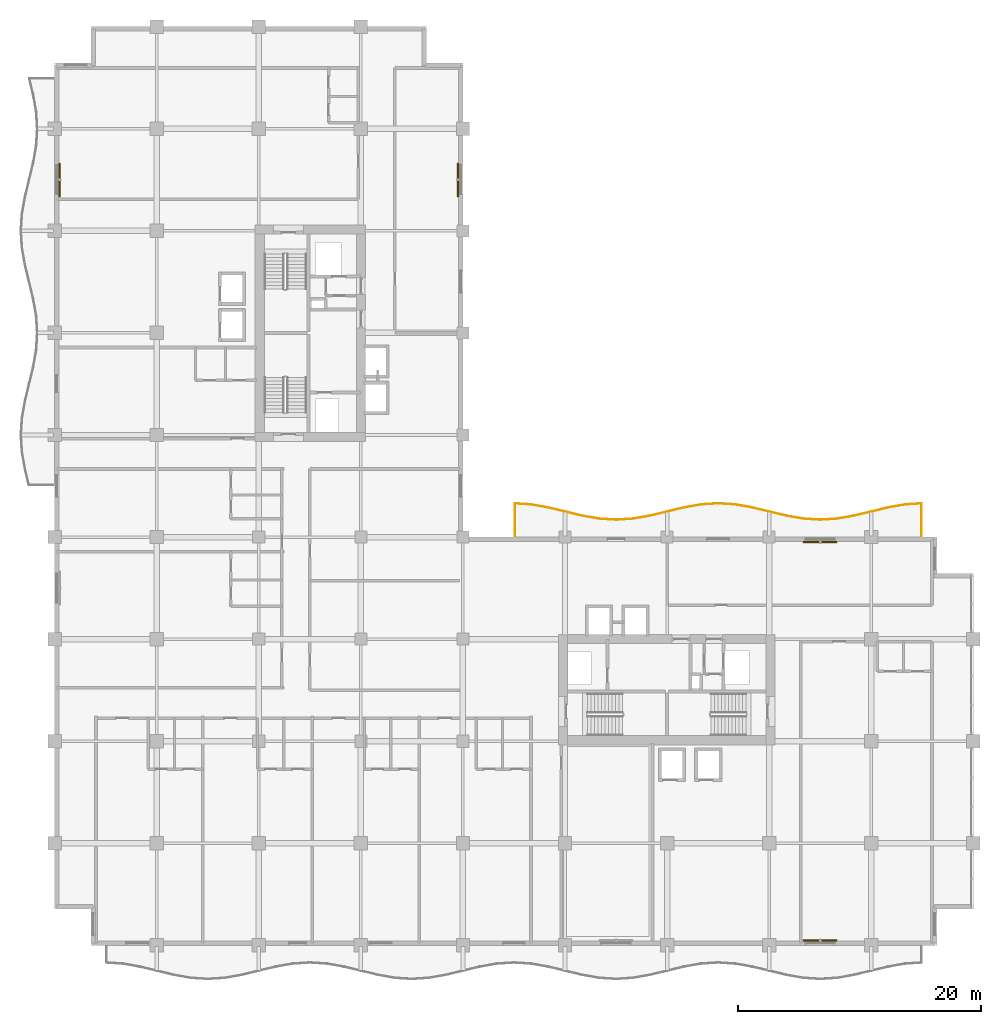
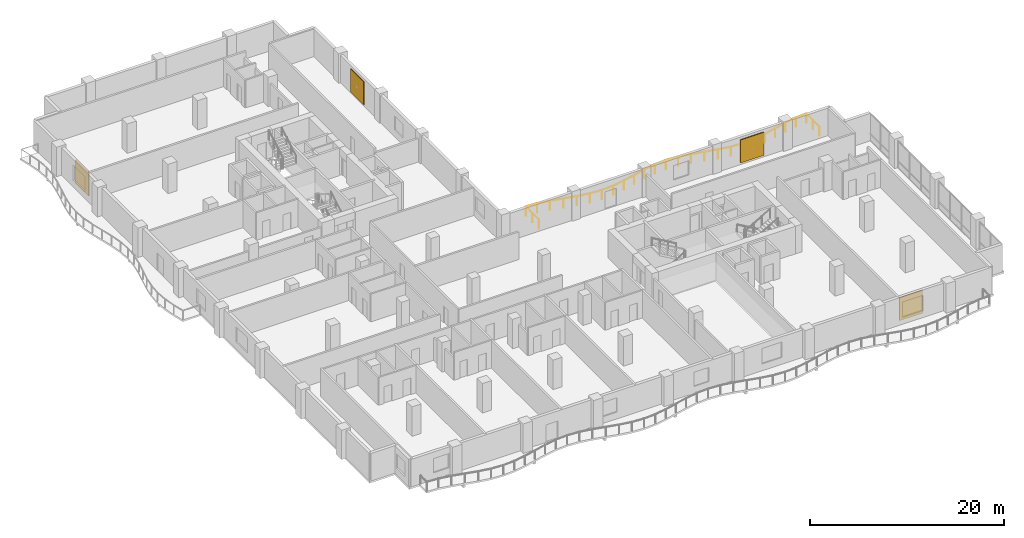
# One storey, part 22 of 22: 4 shading devices, 1 railing.
"""IFC4 building model written with IfcOpenShell, lengths in metres."""

from ifc_helpers import new_model, si_unit, direction, frame, origin, origin_2d, place, context, subcontext, project, spatial, rectangle, circle, extrude, material, layer, layer_set, type_object, element, save


model = new_model("IFC4")

# Units and contexts
model_context = context("Model", 3, precision=1e-05, world=origin(), true_north=direction((0.0, 1.0)))
body_context = subcontext(model_context, "Body", "Model", "MODEL_VIEW")
ifc_project = project(units=[si_unit("LENGTHUNIT", "METRE"), si_unit("AREAUNIT", "SQUARE_METRE"), si_unit("VOLUMEUNIT", "CUBIC_METRE"), si_unit("PLANEANGLEUNIT", "RADIAN"), si_unit("MASSUNIT", "GRAM", prefix="KILO")], contexts=[model_context])

# Site, building, storey
site_placement = place(None, origin())
site = spatial("IfcSite", under=ifc_project, at=site_placement, CompositionType="ELEMENT")
building_placement = place(site_placement, origin())
building = spatial("IfcBuilding", under=site, at=building_placement, Name="Koriwani Terraces Tower", CompositionType="ELEMENT")
storey_placement = place(building_placement, frame((0.0, 0.0, 168.0)))
storey = spatial("IfcBuildingStorey", under=building, at=storey_placement, Name="L40", CompositionType="ELEMENT", Elevation=168.0)

# Railing
ifc_material_1 = material(Name="Steel ASTM A572 Grade 50", Category="steel")
railing_type = type_object("IfcRailingType", Name="GUARD_BALUSTRADE_1150", PredefinedType="BALUSTRADE", material=ifc_material_1)
railing_placement = place(storey_placement, frame((71.320068359375, 33.679931640625, 0.0)))
element("IfcRailing", 1, at=railing_placement, inside=storey, type_object=railing_type, Name="L40 Balcony Perimeter Safety Balustrade (NE)", PredefinedType="BALUSTRADE", context=body_context, shape_type="SweptSolid", body=[
    extrude(circle(Radius=0.02392578125, at=origin_2d()), frame((0.0, 0.0, 1.1259765625), z_axis=(0.0, 1.0, 0.0), x_axis=(-1.0, 0.0, 0.0)), (0.0, 0.0, 1.0), 2.684814453125),
    extrude(circle(Radius=0.02392578125, at=origin_2d()), frame((0.0, 2.684814453125, 1.1259765625), z_axis=(-0.997917210055, -0.064507688504, 0.0), x_axis=(0.064507688504, -0.997917210055, 0.0)), (0.0, 0.0, 1.0), 1.313232421875),
    extrude(circle(Radius=0.02392578125, at=origin_2d()), frame((-1.310546875, 2.60009765625, 1.1259765625), z_axis=(-0.984787032938, -0.173765646078, 0.0), x_axis=(0.173765646078, -0.984787032938, 0.0)), (0.0, 0.0, 1.0), 1.414794921875),
    extrude(circle(Radius=0.02392578125, at=origin_2d()), frame((-2.703857421875, 2.354248046875, 1.1259765625), z_axis=(-0.972142848567, -0.234389167796, 0.0), x_axis=(0.234389167796, -0.972142848567, 0.0)), (0.0, 0.0, 1.0), 2.880126953125),
    extrude(circle(Radius=0.02392578125, at=origin_2d()), frame((-5.503662109375, 1.67919921875, 1.1259765625), z_axis=(-0.984812790368, -0.173619606978, 0.0), x_axis=(0.173619606978, -0.984812790368, 0.0)), (0.0, 0.0, 1.0), 1.4287109375),
    extrude(circle(Radius=0.02392578125, at=origin_2d()), frame((-6.91064453125, 1.43115234375, 1.1259765625), z_axis=(-0.997930321615, -0.064304534842, 0.0), x_axis=(0.064304534842, -0.997930321615, 0.0)), (0.0, 0.0, 1.0), 1.412353515625),
    extrude(circle(Radius=0.02392578125, at=origin_2d()), frame((-8.320068359375, 1.34033203125, 1.1259765625), z_axis=(-0.997930321615, 0.064304534842, 0.0), x_axis=(-0.064304534842, -0.997930321615, 0.0)), (0.0, 0.0, 1.0), 1.412353515625),
    extrude(circle(Radius=0.02392578125, at=origin_2d()), frame((-9.7294921875, 1.43115234375, 1.1259765625), z_axis=(-0.984812790368, 0.173619606978, 0.0), x_axis=(-0.173619606978, -0.984812790368, 0.0)), (0.0, 0.0, 1.0), 1.4287109375),
    extrude(circle(Radius=0.02392578125, at=origin_2d()), frame((-11.136474609375, 1.67919921875, 1.1259765625), z_axis=(-0.972142848567, 0.234389167796, 0.0), x_axis=(-0.234389167796, -0.972142848567, 0.0)), (0.0, 0.0, 1.0), 2.880126953125),
    extrude(circle(Radius=0.02392578125, at=origin_2d()), frame((-13.936279296875, 2.354248046875, 1.1259765625), z_axis=(-0.984787032938, 0.173765646078, 0.0), x_axis=(-0.173765646078, -0.984787032938, 0.0)), (0.0, 0.0, 1.0), 1.414794921875),
    extrude(circle(Radius=0.02392578125, at=origin_2d()), frame((-15.32958984375, 2.60009765625, 1.1259765625), z_axis=(-0.997918766852, 0.064483600738, 0.0), x_axis=(-0.064483600738, -0.997918766852, 0.0)), (0.0, 0.0, 1.0), 1.393310546875),
    extrude(circle(Radius=0.02392578125, at=origin_2d()), frame((-16.719970703125, 2.68994140625, 1.1259765625), z_axis=(-0.997918766852, -0.064483600738, 0.0), x_axis=(0.064483600738, -0.997918766852, 0.0)), (0.0, 0.0, 1.0), 1.393310546875),
    extrude(circle(Radius=0.02392578125, at=origin_2d()), frame((-18.1103515625, 2.60009765625, 1.1259765625), z_axis=(-0.984787032938, -0.173765646078, 0.0), x_axis=(0.173765646078, -0.984787032938, 0.0)), (0.0, 0.0, 1.0), 1.414794921875),
    extrude(circle(Radius=0.02392578125, at=origin_2d()), frame((-19.503662109375, 2.354248046875, 1.1259765625), z_axis=(-0.972147505112, -0.234369853661, 0.0), x_axis=(0.234369853661, -0.972147505112, 0.0)), (0.0, 0.0, 1.0), 2.88037109375),
    extrude(circle(Radius=0.02392578125, at=origin_2d()), frame((-22.3037109375, 1.67919921875, 1.1259765625), z_axis=(-0.984807637937, -0.173648830292, 0.0), x_axis=(0.173648830292, -0.984807637937, 0.0)), (0.0, 0.0, 1.0), 1.428466796875),
    extrude(circle(Radius=0.02392578125, at=origin_2d()), frame((-23.71044921875, 1.43115234375, 1.1259765625), z_axis=(-0.997931036226, -0.064293443969, 0.0), x_axis=(0.064293443969, -0.997931036226, 0.0)), (0.0, 0.0, 1.0), 1.41259765625),
    extrude(circle(Radius=0.02392578125, at=origin_2d()), frame((-25.1201171875, 1.34033203125, 1.1259765625), z_axis=(-0.997930321615, 0.064304534842, 0.0), x_axis=(-0.064304534842, -0.997930321615, 0.0)), (0.0, 0.0, 1.0), 1.412353515625),
    extrude(circle(Radius=0.02392578125, at=origin_2d()), frame((-26.529541015625, 1.43115234375, 1.1259765625), z_axis=(-0.984807637937, 0.173648830292, 0.0), x_axis=(-0.173648830292, -0.984807637937, 0.0)), (0.0, 0.0, 1.0), 1.428466796875),
    extrude(circle(Radius=0.02392578125, at=origin_2d()), frame((-27.936279296875, 1.67919921875, 1.1259765625), z_axis=(-0.972147505112, 0.234369853661, 0.0), x_axis=(-0.234369853661, -0.972147505112, 0.0)), (0.0, 0.0, 1.0), 2.88037109375),
    extrude(circle(Radius=0.02392578125, at=origin_2d()), frame((-30.736328125, 2.354248046875, 1.1259765625), z_axis=(-0.984787032938, 0.173765646078, 0.0), x_axis=(-0.173765646078, -0.984787032938, 0.0)), (0.0, 0.0, 1.0), 1.414794921875),
    extrude(circle(Radius=0.02392578125, at=origin_2d()), frame((-32.129638671875, 2.60009765625, 1.1259765625), z_axis=(-0.997917210055, 0.064507688504, 0.0), x_axis=(-0.064507688504, -0.997917210055, 0.0)), (0.0, 0.0, 1.0), 1.313232421875),
    extrude(circle(Radius=0.02392578125, at=origin_2d()), frame((-33.440185546875, 2.684814453125, 1.1259765625), z_axis=(0.0, -1.0, 0.0), x_axis=(1.0, 0.0, 0.0)), (0.0, 0.0, 1.0), 2.684814453125),
    extrude(circle(Radius=0.02099609375, at=origin_2d()), origin(), (0.0, 0.0, 1.0), 1.101806640625),
    extrude(circle(Radius=0.02099609375, at=origin_2d()), frame((0.0, 1.34228515625, 0.0)), (0.0, 0.0, 1.0), 1.101806640625),
    extrude(circle(Radius=0.02099609375, at=origin_2d()), frame((0.0, 2.684814453125, 0.0)), (0.0, 0.0, 1.0), 1.101806640625),
    extrude(circle(Radius=0.02099609375, at=origin_2d()), frame((-1.310546875, 2.60009765625, 0.0)), (0.0, 0.0, 1.0), 1.101806640625),
    extrude(circle(Radius=0.02099609375, at=origin_2d()), frame((-2.703857421875, 2.354248046875, 0.0)), (0.0, 0.0, 1.0), 1.101806640625),
    extrude(circle(Radius=0.02099609375, at=origin_2d()), frame((-4.103759765625, 2.0166015625, 0.0)), (0.0, 0.0, 1.0), 1.101806640625),
    extrude(circle(Radius=0.02099609375, at=origin_2d()), frame((-5.503662109375, 1.67919921875, 0.0)), (0.0, 0.0, 1.0), 1.101806640625),
    extrude(circle(Radius=0.02099609375, at=origin_2d()), frame((-6.91064453125, 1.43115234375, 0.0)), (0.0, 0.0, 1.0), 1.101806640625),
    extrude(circle(Radius=0.02099609375, at=origin_2d()), frame((-8.320068359375, 1.34033203125, 0.0)), (0.0, 0.0, 1.0), 1.101806640625),
    extrude(circle(Radius=0.02099609375, at=origin_2d()), frame((-9.7294921875, 1.43115234375, 0.0)), (0.0, 0.0, 1.0), 1.101806640625),
    extrude(circle(Radius=0.02099609375, at=origin_2d()), frame((-11.136474609375, 1.67919921875, 0.0)), (0.0, 0.0, 1.0), 1.101806640625),
    extrude(circle(Radius=0.02099609375, at=origin_2d()), frame((-12.536376953125, 2.0166015625, 0.0)), (0.0, 0.0, 1.0), 1.101806640625),
    extrude(circle(Radius=0.02099609375, at=origin_2d()), frame((-13.936279296875, 2.354248046875, 0.0)), (0.0, 0.0, 1.0), 1.101806640625),
    extrude(circle(Radius=0.02099609375, at=origin_2d()), frame((-15.32958984375, 2.60009765625, 0.0)), (0.0, 0.0, 1.0), 1.101806640625),
    extrude(circle(Radius=0.02099609375, at=origin_2d()), frame((-16.719970703125, 2.68994140625, 0.0)), (0.0, 0.0, 1.0), 1.101806640625),
    extrude(circle(Radius=0.02099609375, at=origin_2d()), frame((-18.1103515625, 2.60009765625, 0.0)), (0.0, 0.0, 1.0), 1.101806640625),
    extrude(circle(Radius=0.02099609375, at=origin_2d()), frame((-19.503662109375, 2.354248046875, 0.0)), (0.0, 0.0, 1.0), 1.101806640625),
    extrude(circle(Radius=0.02099609375, at=origin_2d()), frame((-20.90380859375, 2.0166015625, 0.0)), (0.0, 0.0, 1.0), 1.101806640625),
    extrude(circle(Radius=0.02099609375, at=origin_2d()), frame((-22.3037109375, 1.67919921875, 0.0)), (0.0, 0.0, 1.0), 1.101806640625),
    extrude(circle(Radius=0.02099609375, at=origin_2d()), frame((-23.71044921875, 1.43115234375, 0.0)), (0.0, 0.0, 1.0), 1.101806640625),
    extrude(circle(Radius=0.02099609375, at=origin_2d()), frame((-25.1201171875, 1.34033203125, 0.0)), (0.0, 0.0, 1.0), 1.101806640625),
    extrude(circle(Radius=0.02099609375, at=origin_2d()), frame((-26.529541015625, 1.43115234375, 0.0)), (0.0, 0.0, 1.0), 1.101806640625),
    extrude(circle(Radius=0.02099609375, at=origin_2d()), frame((-27.936279296875, 1.67919921875, 0.0)), (0.0, 0.0, 1.0), 1.101806640625),
    extrude(circle(Radius=0.02099609375, at=origin_2d()), frame((-29.33642578125, 2.0166015625, 0.0)), (0.0, 0.0, 1.0), 1.101806640625),
    extrude(circle(Radius=0.02099609375, at=origin_2d()), frame((-30.736328125, 2.354248046875, 0.0)), (0.0, 0.0, 1.0), 1.101806640625),
    extrude(circle(Radius=0.02099609375, at=origin_2d()), frame((-32.129638671875, 2.60009765625, 0.0)), (0.0, 0.0, 1.0), 1.101806640625),
    extrude(circle(Radius=0.02099609375, at=origin_2d()), frame((-33.440185546875, 2.684814453125, 0.0)), (0.0, 0.0, 1.0), 1.101806640625),
    extrude(circle(Radius=0.02099609375, at=origin_2d()), frame((-33.440185546875, 1.34228515625, 0.0)), (0.0, 0.0, 1.0), 1.101806640625),
    extrude(circle(Radius=0.02099609375, at=origin_2d()), frame((-33.440185546875, 0.0, 0.0)), (0.0, 0.0, 1.0), 1.101806640625),
])

# Shading devices
ifc_material_2 = material(Name="Extruded Terracotta Clay", Category="masonry")
ifc_layer = layer(ifc_material_2, 0.1201171875, Name="Extruded Terracotta Clay")
ifc_layer_set = layer_set([ifc_layer], Name="Extruded Terracotta Clay")
shading_device_type = type_object("IfcShadingDeviceType", Name="TERRACOTTA_BAGUETTE_SCREEN_2800", PredefinedType="USERDEFINED", material=ifc_layer_set)
for number, where, z_axis, x_axis, name in (
    (2, (0.405029296875, 63.0, 0.28515625), (0.0, 0.0, 1.0), (0.0, 1.0, 0.0), "L40 Extruded Terracotta Baguette Screen (W-21)"),
    (3, (33.195068359375, 63.0, 0.28515625), (0.0, 0.0, 1.0), (0.0, -1.0, 0.0), "L40 Extruded Terracotta Baguette Screen (NW_IN-11)"),
    (4, (63.0, 33.195068359375, 0.28515625), (0.0, 0.0, 1.0), (1.0, 0.0, 0.0), "L40 Extruded Terracotta Baguette Screen (NE-11)"),
    (5, (63.0, 0.405029296875, 0.28515625), (0.0, 0.0, 1.0), (-1.0, 0.0, 0.0), "L40 Extruded Terracotta Baguette Screen (S-21)"),
):
    element("IfcShadingDevice", number, at=place(storey_placement, frame(where, z_axis=z_axis, x_axis=x_axis)), inside=storey, type_object=shading_device_type, Name=name, ObjectType="BAGUETTE", PredefinedType="USERDEFINED", context=body_context, shape_type="SweptSolid", body=[
        extrude(rectangle(XDim=2.760009765625, YDim=0.1201171875, at=origin_2d()), origin(), (0.0, 0.0, 1.0), 2.89990234375),
    ])

save(model, "model.ifc")
